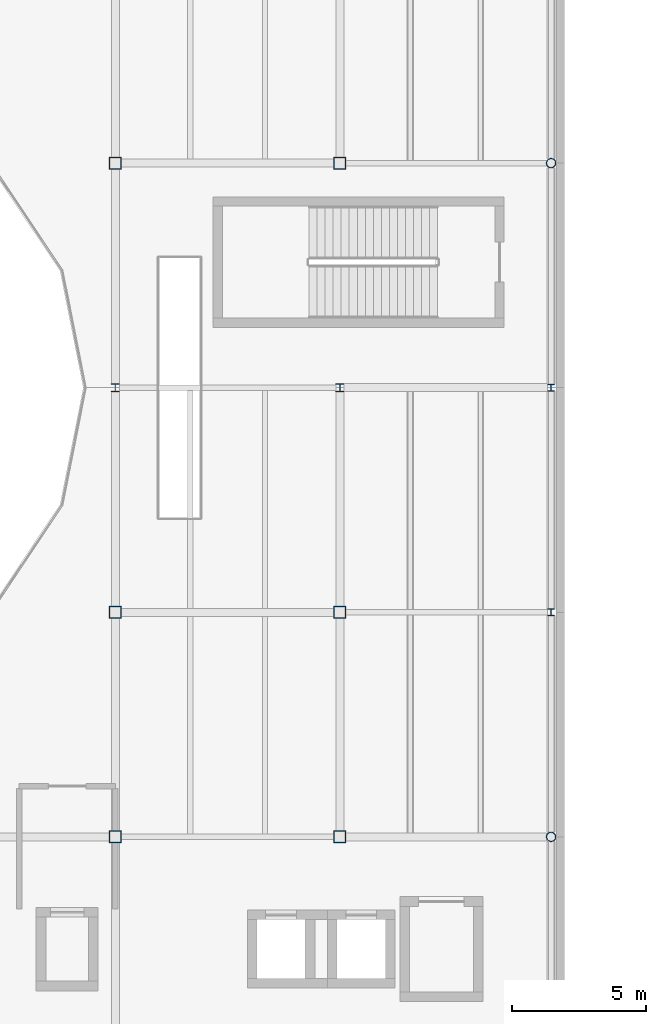
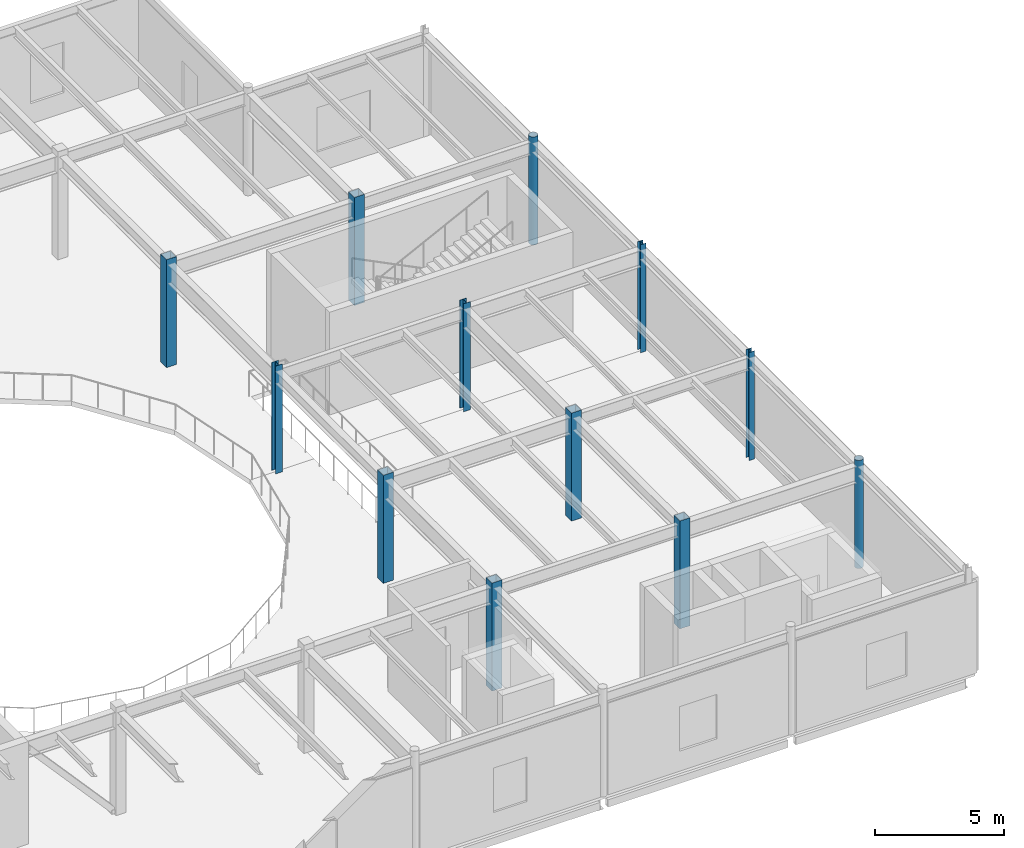
# One storey, part 5 of 57: 12 columns.
"""IFC4 building model written with IfcOpenShell, lengths in metres."""

from ifc_helpers import new_model, si_unit, direction, frame, origin, origin_2d, place, context, subcontext, project, spatial, hollow_rectangle, hollow_circle, i_section, extrude, material, material_profile, profile_set, type_object, element, save


model = new_model("IFC4")

# Units and contexts
model_context = context("Model", 3, precision=1e-05, world=origin(), true_north=direction((0.0, 1.0)))
body_context = subcontext(model_context, "Body", "Model", "MODEL_VIEW")
ifc_project = project(units=[si_unit("LENGTHUNIT", "METRE"), si_unit("AREAUNIT", "SQUARE_METRE"), si_unit("VOLUMEUNIT", "CUBIC_METRE"), si_unit("PLANEANGLEUNIT", "RADIAN"), si_unit("MASSUNIT", "GRAM", prefix="KILO"), si_unit("THERMODYNAMICTEMPERATUREUNIT", "KELVIN")], contexts=[model_context])

# Site, building, storey
site_placement = place(None, origin())
site = spatial("IfcSite", under=ifc_project, at=site_placement, CompositionType="ELEMENT")
building_placement = place(site_placement, origin())
building = spatial("IfcBuilding", under=site, at=building_placement, Name="Lustrewick Department Store", CompositionType="ELEMENT")
storey_placement = place(building_placement, frame((0.0, 0.0, 26.699951171875)))
storey = spatial("IfcBuildingStorey", under=building, at=storey_placement, Name="L06", CompositionType="ELEMENT", Elevation=26.699951171875)

# Columns
ifc_material = material(Name="Structural steel Q355B", Category="steel")
ifc_material_profile_1 = material_profile(ifc_material, hollow_rectangle(XDim=0.449951171875, YDim=0.449951171875, WallThickness=0.01806640625, at=origin_2d()), Name="BOX 450x450x18")
ifc_profile_set_1 = profile_set([ifc_material_profile_1], Name="Structural steel Q355B")
column_type_1 = type_object("IfcColumnType", Name="C07", PredefinedType="COLUMN", material=ifc_profile_set_1)
for number, where, z_axis, x_axis, name in (
    (1, (42.0, 50.39990234375, 0.0), (0.0, 0.0, 1.0), (1.0, 0.0, 0.0), "L06 V1 Column C07"),
    (2, (42.0, 58.800048828125, 0.0), (0.0, 0.0, 1.0), (1.0, 0.0, 0.0), "L06 V1 Column C07"),
    (3, (42.0, 75.60009765625, 0.0), (0.0, 0.0, 1.0), (1.0, 0.0, 0.0), "L06 V1 Column C07"),
    (4, (50.39990234375, 50.39990234375, 0.0), (0.0, 0.0, 1.0), (1.0, 0.0, 0.0), "L06 V1 Column C07"),
    (5, (50.39990234375, 58.800048828125, 0.0), (0.0, 0.0, 1.0), (1.0, 0.0, 0.0), "L06 V1 Column C07"),
    (6, (50.39990234375, 75.60009765625, 0.0), (0.0, 0.0, 1.0), (1.0, 0.0, 0.0), "L06 V1 Column C07"),
):
    element("IfcColumn", number, at=place(storey_placement, frame(where, z_axis=z_axis, x_axis=x_axis)), inside=storey, type_object=column_type_1, Name=name, PredefinedType="COLUMN", context=body_context, shape_type="SweptSolid", body=[
        extrude(hollow_rectangle(XDim=0.449951171875, YDim=0.449951171875, WallThickness=0.01806640625, at=origin_2d()), origin(), (0.0, 0.0, 1.0), 5.10009765625),
    ])
ifc_material_profile_2 = material_profile(ifc_material, i_section(OverallWidth=0.300048828125, OverallDepth=0.300048828125, WebThickness=0.010009765625, FlangeThickness=0.014892578125, FilletRadius=0.01806640625, at=origin_2d()), Name="HW 300x300x10x15")
ifc_profile_set_2 = profile_set([ifc_material_profile_2], Name="Structural steel Q355B")
column_type_2 = type_object("IfcColumnType", Name="C15", PredefinedType="COLUMN", material=ifc_profile_set_2)
for number, where, z_axis, x_axis, name in (
    (7, (42.0, 67.199951171875, 0.0), (0.0, 0.0, 1.0), (1.0, 0.0, 0.0), "L06 V1 Column C15"),
    (8, (50.39990234375, 67.199951171875, 0.0), (0.0, 0.0, 1.0), (1.0, 0.0, 0.0), "L06 V1 Column C15"),
):
    element("IfcColumn", number, at=place(storey_placement, frame(where, z_axis=z_axis, x_axis=x_axis)), inside=storey, type_object=column_type_2, Name=name, PredefinedType="COLUMN", context=body_context, shape_type="SweptSolid", body=[
        extrude(i_section(OverallWidth=0.300048828125, OverallDepth=0.300048828125, WebThickness=0.010009765625, FlangeThickness=0.014892578125, FilletRadius=0.01806640625, at=origin_2d()), origin(), (0.0, 0.0, 1.0), 5.10009765625),
    ])
ifc_material_profile_3 = material_profile(ifc_material, hollow_circle(Radius=0.177978515625, WallThickness=0.013916015625, at=origin_2d()), Name="CHS 356x14")
ifc_profile_set_3 = profile_set([ifc_material_profile_3], Name="Structural steel Q355B")
column_type_3 = type_object("IfcColumnType", Name="CE05", PredefinedType="COLUMN", material=ifc_profile_set_3)
for number, where, z_axis, x_axis, name in (
    (9, (58.300048828125, 50.39990234375, 0.0), (0.0, 0.0, 1.0), (1.0, 0.0, 0.0), "L06 V1 Column CE05"),
    (10, (58.300048828125, 75.60009765625, 0.0), (0.0, 0.0, 1.0), (1.0, 0.0, 0.0), "L06 V1 Column CE05"),
):
    element("IfcColumn", number, at=place(storey_placement, frame(where, z_axis=z_axis, x_axis=x_axis)), inside=storey, type_object=column_type_3, Name=name, PredefinedType="COLUMN", context=body_context, shape_type="SweptSolid", body=[
        extrude(hollow_circle(Radius=0.177978515625, WallThickness=0.013916015625, at=origin_2d()), origin(), (0.0, 0.0, 1.0), 5.10009765625),
    ])
ifc_material_profile_4 = material_profile(ifc_material, i_section(OverallWidth=0.25, OverallDepth=0.25, WebThickness=0.009033203125, FlangeThickness=0.013916015625, FilletRadius=0.01611328125, at=origin_2d()), Name="HW 250x250x9x14")
ifc_profile_set_4 = profile_set([ifc_material_profile_4], Name="Structural steel Q355B")
column_type_4 = type_object("IfcColumnType", Name="CE08", PredefinedType="COLUMN", material=ifc_profile_set_4)
for number, where, z_axis, x_axis, name in (
    (11, (58.300048828125, 58.800048828125, 0.0), (0.0, 0.0, 1.0), (1.0, 0.0, 0.0), "L06 V1 Column CE08"),
    (12, (58.300048828125, 67.199951171875, 0.0), (0.0, 0.0, 1.0), (1.0, 0.0, 0.0), "L06 V1 Column CE08"),
):
    element("IfcColumn", number, at=place(storey_placement, frame(where, z_axis=z_axis, x_axis=x_axis)), inside=storey, type_object=column_type_4, Name=name, PredefinedType="COLUMN", context=body_context, shape_type="SweptSolid", body=[
        extrude(i_section(OverallWidth=0.25, OverallDepth=0.25, WebThickness=0.009033203125, FlangeThickness=0.013916015625, FilletRadius=0.01611328125, at=origin_2d()), origin(), (0.0, 0.0, 1.0), 5.10009765625),
    ])

save(model, "model.ifc")
